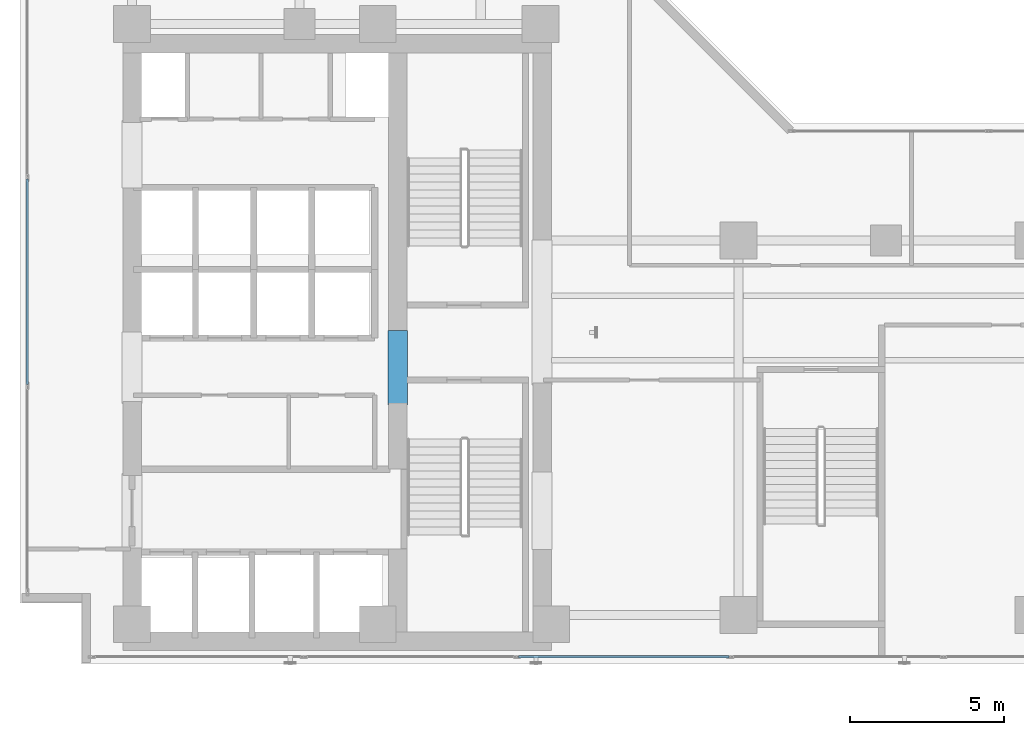
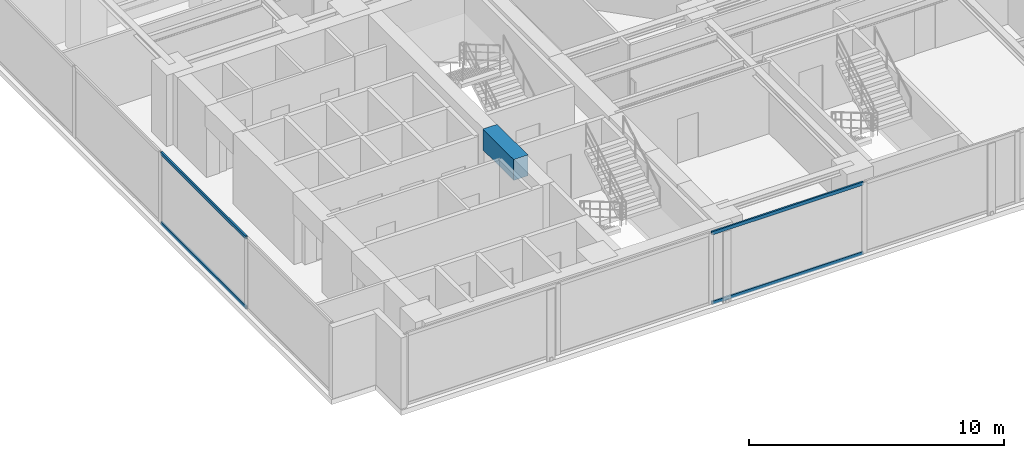
# One storey, part 3 of 26: 4 members, 1 beam, 2 elements without a shape of their own.
"""IFC4 building model written with IfcOpenShell, lengths in metres."""

from ifc_helpers import new_model, si_unit, direction, frame, origin, origin_with_axes, origin_2d, place, context, subcontext, project, spatial, rectangle, hollow_rectangle, extrude, source, transform, mapped, material, layer, layer_set, material_profile, profile_set, type_object, element, aggregate, save


model = new_model("IFC4")

# Units and contexts
model_context = context("Model", 3, precision=1e-05, world=origin(), true_north=direction((0.0, 1.0)))
body_context = subcontext(model_context, "Body", "Model", "MODEL_VIEW")
ifc_project = project(units=[si_unit("LENGTHUNIT", "METRE"), si_unit("AREAUNIT", "SQUARE_METRE"), si_unit("VOLUMEUNIT", "CUBIC_METRE"), si_unit("PLANEANGLEUNIT", "RADIAN"), si_unit("MASSUNIT", "GRAM", prefix="KILO")], contexts=[model_context])

# Site, building, storey
site_placement = place(None, origin())
site = spatial("IfcSite", under=ifc_project, at=site_placement, CompositionType="ELEMENT")
building_placement = place(site_placement, origin())
building = spatial("IfcBuilding", under=site, at=building_placement, Name="Kolvaren Waterfront Exchange", CompositionType="ELEMENT")
storey_placement = place(building_placement, frame((0.0, 0.0, 195.60009765625)))
storey = spatial("IfcBuildingStorey", under=building, at=storey_placement, Name="L50", CompositionType="ELEMENT", Elevation=195.60009765625)

# Beam
ifc_material_1 = material(Name="Concrete C60/75", Category="concrete")
ifc_material_profile_1 = material_profile(ifc_material_1, rectangle(XDim=0.64990234375, YDim=1.0, at=origin_2d()), Name="RC-CB-1000x650")
ifc_profile_set_1 = profile_set([ifc_material_profile_1], Name="Concrete C60/75")
beam_type = type_object("IfcBeamType", Name="STR-CB-1000", PredefinedType="SPANDREL", material=ifc_profile_set_1)
beam_placement = place(storey_placement, frame((16.10009765625, 12.0400390625, 2.919921875), z_axis=(0.0, 1.0, 0.0), x_axis=(-1.0, 0.0, 0.0)))
element("IfcBeam", 1, at=beam_placement, inside=storey, type_object=beam_type, Name="L50 core coupling beam 6", PredefinedType="SPANDREL", context=body_context, shape_type="SweptSolid", body=[
    extrude(rectangle(XDim=0.64990234375, YDim=1.0, at=origin_2d()), origin(), (0.0, 0.0, 1.0), 2.419921875),
])

# Curtain wall, members
ifc_material_2 = material(Name="Anodised bronze aluminium 6063-T6", Category="aluminium")
ifc_layer_1 = layer(ifc_material_2, 0.219970703125, Name="Anodised bronze aluminium 6063-T6")
ifc_layer_set_1 = layer_set([ifc_layer_1], Name="Anodised bronze aluminium 6063-T6")
curtain_wall_type_1 = type_object("IfcCurtainWallType", Name="ARC-CW-SYS1", PredefinedType="USERDEFINED", material=ifc_layer_set_1)
curtain_wall_1_placement = place(storey_placement, origin())
curtain_wall_1 = element("IfcCurtainWall", 2, at=curtain_wall_1_placement, inside=storey, type_object=curtain_wall_type_1, Name="L50 stick curtain wall CW1 (CW-L50-S)", ObjectType="STICK CURTAIN WALL", PredefinedType="USERDEFINED")
ifc_material_3 = material(Name="Anodised aluminium 6063-T6", Category="aluminium")
ifc_material_profile_2 = material_profile(ifc_material_3, hollow_rectangle(XDim=0.074951171875, YDim=0.159912109375, WallThickness=0.00439453125, at=origin_2d()), Name="ALU-TRN-160x75x4.5")
ifc_profile_set_2 = profile_set([ifc_material_profile_2], Name="Anodised aluminium 6063-T6")
member_type = type_object("IfcMemberType", Name="ARC-CWT-160", PredefinedType="USERDEFINED", material=ifc_profile_set_2)
shared_shape_1 = source(origin_with_axes(), body_context, "Body", "SweptSolid", [
    extrude(hollow_rectangle(XDim=0.074951171875, YDim=0.159912109375, WallThickness=0.00439453125, at=origin_2d()), origin(), (0.0, 0.0, 1.0), 6.863037109375),
])
member_1_placement = place(storey_placement, frame((20.025634765625, 3.840087890625, 0.037353515625), z_axis=(1.0, 0.0, 0.0), x_axis=(0.0, 1.0, 0.0)))
member_1 = element("IfcMember", 3, at=member_1_placement, type_object=member_type, Name="CW1 transom 3.1", ObjectType="TRANSOM", PredefinedType="USERDEFINED", context=body_context, shape_type="MappedRepresentation", body=[
    mapped(shared_shape_1, transform((0.0, 0.0, 0.0), x_axis=(1.0, 0.0, 0.0), y_axis=(0.0, 1.0, 0.0), z_axis=(0.0, 0.0, 1.0), scale=1.0)),
])
member_2_placement = place(storey_placement, frame((20.025634765625, 3.840087890625, 3.38232421875), z_axis=(1.0, 0.0, 0.0), x_axis=(0.0, 1.0, 0.0)))
member_2 = element("IfcMember", 4, at=member_2_placement, type_object=member_type, Name="CW1 transom 3.2", ObjectType="TRANSOM", PredefinedType="USERDEFINED", context=body_context, shape_type="MappedRepresentation", body=[
    mapped(shared_shape_1, transform((0.0, 0.0, 0.0), x_axis=(1.0, 0.0, 0.0), y_axis=(0.0, 1.0, 0.0), z_axis=(0.0, 0.0, 1.0), scale=1.0)),
])
aggregate(curtain_wall_1, [member_1, member_2])

ifc_layer_2 = layer(ifc_material_3, 0.219970703125, Name="Anodised aluminium 6063-T6")
ifc_layer_set_2 = layer_set([ifc_layer_2], Name="Anodised aluminium 6063-T6")
curtain_wall_type_2 = type_object("IfcCurtainWallType", Name="ARC-CW-SYS2", PredefinedType="USERDEFINED", material=ifc_layer_set_2)
curtain_wall_2_placement = place(storey_placement, origin())
curtain_wall_2 = element("IfcCurtainWall", 5, at=curtain_wall_2_placement, inside=storey, type_object=curtain_wall_type_2, Name="L50 stick curtain wall CW2 (CW-L50-W)", ObjectType="STICK CURTAIN WALL", PredefinedType="USERDEFINED")
shared_shape_2 = source(origin_with_axes(), body_context, "Body", "SweptSolid", [
    extrude(hollow_rectangle(XDim=0.074951171875, YDim=0.159912109375, WallThickness=0.00439453125, at=origin_2d()), origin(), (0.0, 0.0, 1.0), 6.6865234375),
])
member_3_placement = place(storey_placement, frame((4.0400390625, 12.706787109375, 0.037353515625), z_axis=(0.0, 1.0, 0.0), x_axis=(-1.0, 0.0, 0.0)))
member_3 = element("IfcMember", 6, at=member_3_placement, type_object=member_type, Name="CW2 transom 2.1", ObjectType="TRANSOM", PredefinedType="USERDEFINED", context=body_context, shape_type="MappedRepresentation", body=[
    mapped(shared_shape_2, transform((0.0, 0.0, 0.0), x_axis=(1.0, 0.0, 0.0), y_axis=(0.0, 1.0, 0.0), z_axis=(0.0, 0.0, 1.0), scale=1.0)),
])
member_4_placement = place(storey_placement, frame((4.0400390625, 12.706787109375, 3.38232421875), z_axis=(0.0, 1.0, 0.0), x_axis=(-1.0, 0.0, 0.0)))
member_4 = element("IfcMember", 7, at=member_4_placement, type_object=member_type, Name="CW2 transom 2.2", ObjectType="TRANSOM", PredefinedType="USERDEFINED", context=body_context, shape_type="MappedRepresentation", body=[
    mapped(shared_shape_2, transform((0.0, 0.0, 0.0), x_axis=(1.0, 0.0, 0.0), y_axis=(0.0, 1.0, 0.0), z_axis=(0.0, 0.0, 1.0), scale=1.0)),
])
aggregate(curtain_wall_2, [member_3, member_4])

save(model, "model.ifc")
